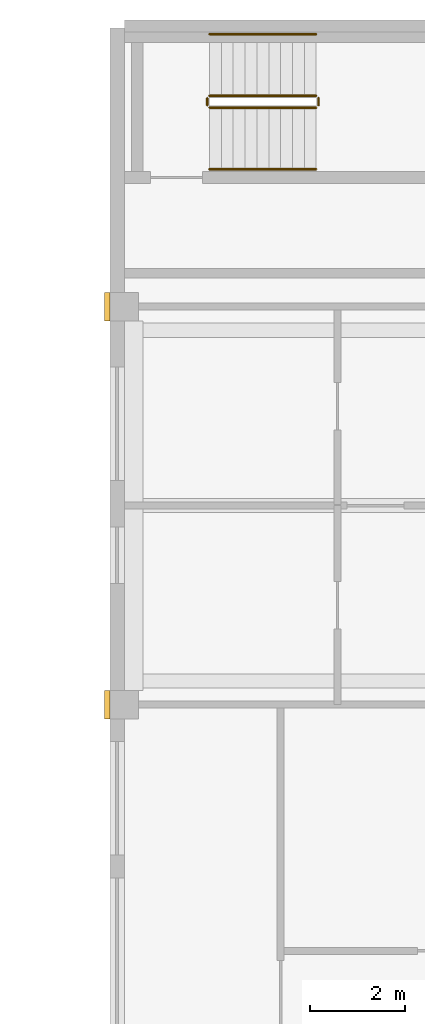
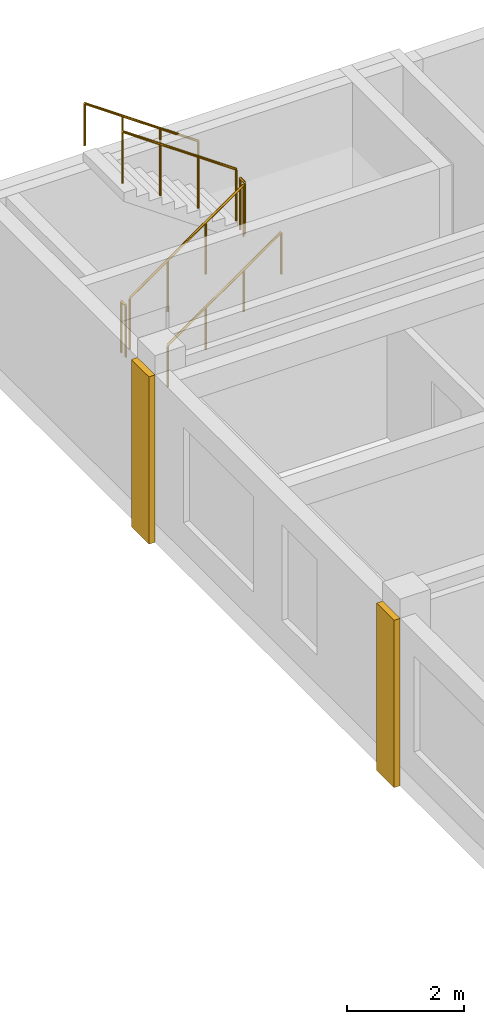
# One storey, part 7 of 7: 6 railings, 2 coverings.
"""IFC4 building model written with IfcOpenShell, lengths in metres."""

from ifc_helpers import new_model, si_unit, direction, frame, origin, origin_2d, place, context, subcontext, project, spatial, rectangle, circle, extrude, source, transform, mapped, material, type_object, element, save


model = new_model("IFC4")

# Units and contexts
model_context = context("Model", 3, precision=1e-05, world=origin(), true_north=direction((0.0, 1.0)))
body_context = subcontext(model_context, "Body", "Model", "MODEL_VIEW")
ifc_project = project(units=[si_unit("LENGTHUNIT", "METRE"), si_unit("AREAUNIT", "SQUARE_METRE"), si_unit("VOLUMEUNIT", "CUBIC_METRE"), si_unit("PLANEANGLEUNIT", "RADIAN"), si_unit("MASSUNIT", "GRAM", prefix="KILO")], contexts=[model_context])

# Site, building, storey
site_placement = place(None, origin())
site = spatial("IfcSite", under=ifc_project, at=site_placement, CompositionType="ELEMENT")
building_placement = place(site_placement, origin())
building = spatial("IfcBuilding", under=site, at=building_placement, Name="Aurelian Terraces", CompositionType="ELEMENT")
storey_placement = place(building_placement, frame((0.0, 0.0, 337.0)))
storey = spatial("IfcBuildingStorey", under=building, at=storey_placement, Name="L79", CompositionType="ELEMENT", Elevation=337.0)

# Coverings
ifc_material_1 = material(Name="Terracotta rainscreen cladding relief", Category="masonry")
covering_type = type_object("IfcCoveringType", Name="BAGUETTE-TC", PredefinedType="CLADDING", material=ifc_material_1)
shared_shape_1 = source(origin(), body_context, "Body", "SweptSolid", [
    extrude(rectangle(XDim=0.12, YDim=0.6, at=origin_2d()), origin(), (0.0, 0.0, 1.0), 3.5),
])
for number, where, z_axis, x_axis, name in (
    (1, (10.44, 29.4, -0.4), (0.0, 0.0, 1.0), (1.0, 0.0, 0.0), "BAGUETTE pier L79 4"),
    (2, (10.44, 37.8, -0.4), (0.0, 0.0, 1.0), (1.0, 0.0, 0.0), "BAGUETTE pier L79 5"),
):
    element("IfcCovering", number, at=place(storey_placement, frame(where, z_axis=z_axis, x_axis=x_axis)), inside=storey, type_object=covering_type, Name=name, PredefinedType="CLADDING", context=body_context, shape_type="MappedRepresentation", body=[
        mapped(shared_shape_1, transform((0.0, 0.0, 0.0), scale=1.0)),
    ])

# Railings
ifc_material_2 = material(Name="Stainless steel", Category="steel")
railing_type_1 = type_object("IfcRailingType", Name="Stair guard 1100", PredefinedType="GUARDRAIL", material=ifc_material_2)
shared_shape_2 = source(origin(), body_context, "Body", "SweptSolid", [
    extrude(circle(Radius=0.024, at=origin_2d()), frame((0.0, 0.0, 1.076), z_axis=(0.0, 1.0, 0.0), x_axis=(-1.0, 0.0, 0.0)), (0.0, 0.0, 1.0), 0.15),
    extrude(circle(Radius=0.021, at=origin_2d()), origin(), (0.0, 0.0, 1.0), 1.052),
    extrude(circle(Radius=0.021, at=origin_2d()), frame((0.0, 0.15, 0.0)), (0.0, 0.0, 1.0), 1.052),
])
for number, where, name in (
    (3, (14.9, 42.05, 1.75), "L79 S3U stair guard 2"),
    (4, (12.55, 42.05, 0.0), "L79 S3U stair guard 4"),
):
    element("IfcRailing", number, at=place(storey_placement, frame(where)), inside=storey, type_object=railing_type_1, Name=name, PredefinedType="GUARDRAIL", context=body_context, shape_type="MappedRepresentation", body=[
        mapped(shared_shape_2, transform((0.0, 0.0, 0.0), scale=1.0)),
    ])
shared_shape_3 = source(origin(), body_context, "Body", "SweptSolid", [
    extrude(circle(Radius=0.024, at=origin_2d()), frame((0.0, 0.0, 1.076), z_axis=(0.819231920519, 0.0, 0.573462344363), x_axis=(0.0, 1.0, 0.0)), (0.0, 0.0, 1.0), 2.7465),
    extrude(circle(Radius=0.021, at=origin_2d()), origin(), (0.0, 0.0, 1.0), 1.052),
    extrude(circle(Radius=0.021, at=origin_2d()), frame((0.75, 0.0, 0.525)), (0.0, 0.0, 1.0), 1.052),
    extrude(circle(Radius=0.021, at=origin_2d()), frame((1.5, 0.0, 1.05)), (0.0, 0.0, 1.0), 1.052),
    extrude(circle(Radius=0.021, at=origin_2d()), frame((2.25, 0.0, 1.575)), (0.0, 0.0, 1.0), 1.052),
])
railing_1_placement = place(storey_placement, frame((12.6, 42.0, 0.175)))
element("IfcRailing", 5, at=railing_1_placement, inside=storey, type_object=railing_type_1, Name="L79 S3U stair guard 1", PredefinedType="GUARDRAIL", context=body_context, shape_type="MappedRepresentation", body=[
    mapped(shared_shape_3, transform((0.0, 0.0, 0.0), scale=1.0)),
])
shared_shape_4 = source(origin(), body_context, "Body", "SweptSolid", [
    extrude(circle(Radius=0.024, at=origin_2d()), frame((0.0, 0.0, 1.076), z_axis=(-0.819231920519, 0.0, 0.573462344363), x_axis=(0.0, -1.0, 0.0)), (0.0, 0.0, 1.0), 2.7465),
    extrude(circle(Radius=0.021, at=origin_2d()), origin(), (0.0, 0.0, 1.0), 1.052),
    extrude(circle(Radius=0.021, at=origin_2d()), frame((-0.75, 0.0, 0.525)), (0.0, 0.0, 1.0), 1.052),
    extrude(circle(Radius=0.021, at=origin_2d()), frame((-1.5, 0.0, 1.05)), (0.0, 0.0, 1.0), 1.052),
    extrude(circle(Radius=0.021, at=origin_2d()), frame((-2.25, 0.0, 1.575)), (0.0, 0.0, 1.0), 1.052),
])
railing_2_placement = place(storey_placement, frame((14.85, 42.25, 1.925)))
element("IfcRailing", 6, at=railing_2_placement, inside=storey, type_object=railing_type_1, Name="L79 S3U stair guard 3", PredefinedType="GUARDRAIL", context=body_context, shape_type="MappedRepresentation", body=[
    mapped(shared_shape_4, transform((0.0, 0.0, 0.0), scale=1.0)),
])
railing_type_2 = type_object("IfcRailingType", Name="Stair handrail", PredefinedType="HANDRAIL", material=ifc_material_2)
shared_shape_5 = source(origin(), body_context, "Body", "SweptSolid", [
    extrude(circle(Radius=0.024, at=origin_2d()), frame((0.0, 0.0, 0.876), z_axis=(0.819231920519, 0.0, 0.573462344363), x_axis=(0.0, 1.0, 0.0)), (0.0, 0.0, 1.0), 2.7465),
    extrude(circle(Radius=0.021, at=origin_2d()), origin(), (0.0, 0.0, 1.0), 0.852),
    extrude(circle(Radius=0.021, at=origin_2d()), frame((0.75, 0.0, 0.525)), (0.0, 0.0, 1.0), 0.852),
    extrude(circle(Radius=0.021, at=origin_2d()), frame((1.5, 0.0, 1.05)), (0.0, 0.0, 1.0), 0.852),
    extrude(circle(Radius=0.021, at=origin_2d()), frame((2.25, 0.0, 1.575)), (0.0, 0.0, 1.0), 0.852),
])
railing_3_placement = place(storey_placement, frame((12.6, 40.7, 0.175)))
element("IfcRailing", 7, at=railing_3_placement, inside=storey, type_object=railing_type_2, Name="L79 S3U stair handrail 1", PredefinedType="HANDRAIL", context=body_context, shape_type="MappedRepresentation", body=[
    mapped(shared_shape_5, transform((0.0, 0.0, 0.0), scale=1.0)),
])
shared_shape_6 = source(origin(), body_context, "Body", "SweptSolid", [
    extrude(circle(Radius=0.024, at=origin_2d()), frame((0.0, 0.0, 0.876), z_axis=(-0.819231920519, 0.0, 0.573462344363), x_axis=(0.0, -1.0, 0.0)), (0.0, 0.0, 1.0), 2.7465),
    extrude(circle(Radius=0.021, at=origin_2d()), origin(), (0.0, 0.0, 1.0), 0.852),
    extrude(circle(Radius=0.021, at=origin_2d()), frame((-0.75, 0.0, 0.525)), (0.0, 0.0, 1.0), 0.852),
    extrude(circle(Radius=0.021, at=origin_2d()), frame((-1.5, 0.0, 1.05)), (0.0, 0.0, 1.0), 0.852),
    extrude(circle(Radius=0.021, at=origin_2d()), frame((-2.25, 0.0, 1.575)), (0.0, 0.0, 1.0), 0.852),
])
railing_4_placement = place(storey_placement, frame((14.85, 43.55, 1.925)))
element("IfcRailing", 8, at=railing_4_placement, inside=storey, type_object=railing_type_2, Name="L79 S3U stair handrail 2", PredefinedType="HANDRAIL", context=body_context, shape_type="MappedRepresentation", body=[
    mapped(shared_shape_6, transform((0.0, 0.0, 0.0), scale=1.0)),
])

save(model, "model.ifc")
